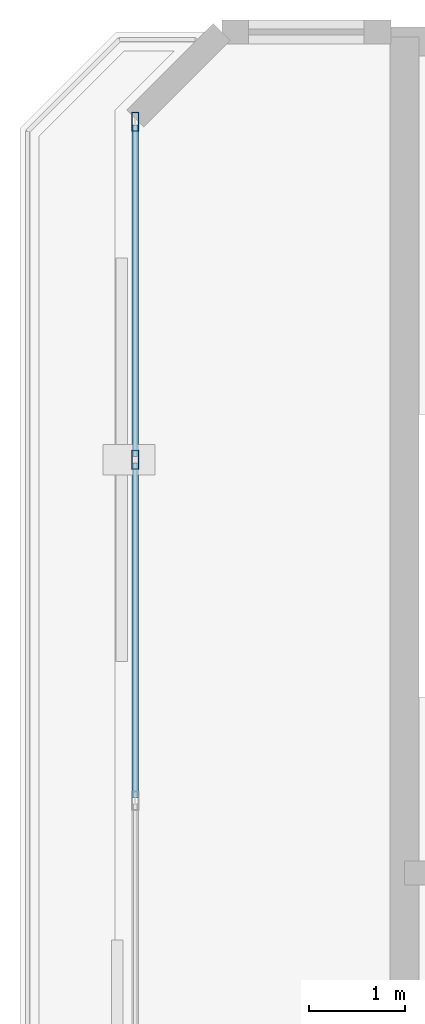
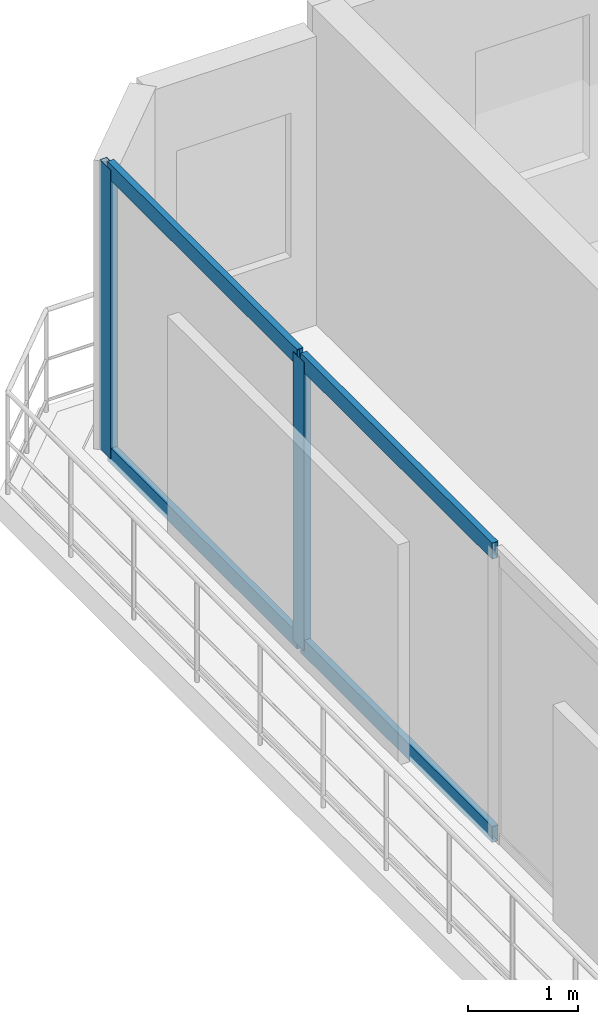
# One storey, part 2 of 7: 6 members, 1 element without a shape of its own.
"""IFC4 building model written with IfcOpenShell, lengths in metres."""

from ifc_helpers import new_model, si_unit, direction, frame, origin, origin_2d, place, context, subcontext, project, spatial, hollow_rectangle, extrude, material, layer, layer_set, material_profile, profile_set, type_object, element, aggregate, save


model = new_model("IFC4")

# Units and contexts
model_context = context("Model", 3, precision=1e-05, world=origin(), true_north=direction((0.0, 1.0)))
body_context = subcontext(model_context, "Body", "Model", "MODEL_VIEW")
ifc_project = project(units=[si_unit("LENGTHUNIT", "METRE"), si_unit("AREAUNIT", "SQUARE_METRE"), si_unit("VOLUMEUNIT", "CUBIC_METRE"), si_unit("PLANEANGLEUNIT", "RADIAN"), si_unit("MASSUNIT", "GRAM", prefix="KILO")], contexts=[model_context])

# Site, building, storey
site_placement = place(None, origin())
site = spatial("IfcSite", under=ifc_project, at=site_placement, CompositionType="ELEMENT")
building_placement = place(site_placement, origin())
building = spatial("IfcBuilding", under=site, at=building_placement, Name="Catumbela Crestline Tower", CompositionType="ELEMENT")
storey_placement = place(building_placement, frame((0.0, 0.0, 308.0)))
storey = spatial("IfcBuildingStorey", under=building, at=storey_placement, Name="L79", CompositionType="ELEMENT", Elevation=308.0)

# Curtain wall, members
ifc_material = material(Name="Aluminium alloy AW-6060-T66", Category="aluminium")
ifc_layer = layer(ifc_material, 0.18, Name="Aluminium alloy AW-6060-T66")
ifc_layer_set = layer_set([ifc_layer], Name="Aluminium alloy AW-6060-T66")
curtain_wall_type = type_object("IfcCurtainWallType", Name="CWS-OBS", PredefinedType="USERDEFINED", material=ifc_layer_set)
curtain_wall_placement = place(storey_placement, origin())
curtain_wall = element("IfcCurtainWall", 1, at=curtain_wall_placement, inside=storey, type_object=curtain_wall_type, Name="L79 Stick Curtain Wall CW-L79-E6S1", ObjectType="STICK", PredefinedType="USERDEFINED")
ifc_material_profile_1 = material_profile(ifc_material, hollow_rectangle(XDim=0.075, YDim=0.2, WallThickness=0.005, at=origin_2d()), Name="ALU 200x75x5")
ifc_profile_set_1 = profile_set([ifc_material_profile_1], Name="Aluminium alloy AW-6060-T66")
member_type_1 = type_object("IfcMemberType", Name="MUL-200X75", PredefinedType="MULLION", material=ifc_profile_set_1)
member_1_placement = place(storey_placement, frame((13.2, 42.0675, 0.0), z_axis=(0.0, 0.0, 1.0), x_axis=(1.0, 0.0, 0.0)))
member_1 = element("IfcMember", 2, at=member_1_placement, type_object=member_type_1, Name="CWS-OBS mullion 1", PredefinedType="MULLION", context=body_context, shape_type="SweptSolid", body=[
    extrude(hollow_rectangle(XDim=0.075, YDim=0.2, WallThickness=0.005, at=origin_2d()), origin(), (0.0, 0.0, 1.0), 3.21),
])
member_2_placement = place(storey_placement, frame((13.2, 38.55, 0.0), z_axis=(0.0, 0.0, 1.0), x_axis=(1.0, 0.0, 0.0)))
member_2 = element("IfcMember", 3, at=member_2_placement, type_object=member_type_1, Name="CWS-OBS mullion 2", PredefinedType="MULLION", context=body_context, shape_type="SweptSolid", body=[
    extrude(hollow_rectangle(XDim=0.075, YDim=0.2, WallThickness=0.005, at=origin_2d()), origin(), (0.0, 0.0, 1.0), 3.21),
])
ifc_material_profile_2 = material_profile(ifc_material, hollow_rectangle(XDim=0.065, YDim=0.18, WallThickness=0.004, at=origin_2d()), Name="ALU 180x65x4")
ifc_profile_set_2 = profile_set([ifc_material_profile_2], Name="Aluminium alloy AW-6060-T66")
member_type_2 = type_object("IfcMemberType", Name="TRN-180X65", PredefinedType="USERDEFINED", material=ifc_profile_set_2)
member_3_placement = place(storey_placement, frame((13.2, 42.035, 0.03), z_axis=(0.0, -1.0, 0.0), x_axis=(1.0, 0.0, 0.0)))
member_3 = element("IfcMember", 4, at=member_3_placement, type_object=member_type_2, Name="CWS-OBS transom 1.1", ObjectType="TRANSOM", PredefinedType="USERDEFINED", context=body_context, shape_type="SweptSolid", body=[
    extrude(hollow_rectangle(XDim=0.065, YDim=0.18, WallThickness=0.004, at=origin_2d()), origin(), (0.0, 0.0, 1.0), 3.4525),
])
member_4_placement = place(storey_placement, frame((13.2, 42.035, 3.18), z_axis=(0.0, -1.0, 0.0), x_axis=(1.0, 0.0, 0.0)))
member_4 = element("IfcMember", 5, at=member_4_placement, type_object=member_type_2, Name="CWS-OBS transom 1.2", ObjectType="TRANSOM", PredefinedType="USERDEFINED", context=body_context, shape_type="SweptSolid", body=[
    extrude(hollow_rectangle(XDim=0.065, YDim=0.18, WallThickness=0.004, at=origin_2d()), origin(), (0.0, 0.0, 1.0), 3.4525),
])
member_5_placement = place(storey_placement, frame((13.2, 38.5175, 0.03), z_axis=(0.0, -1.0, 0.0), x_axis=(1.0, 0.0, 0.0)))
member_5 = element("IfcMember", 6, at=member_5_placement, type_object=member_type_2, Name="CWS-OBS transom 2.1", ObjectType="TRANSOM", PredefinedType="USERDEFINED", context=body_context, shape_type="SweptSolid", body=[
    extrude(hollow_rectangle(XDim=0.065, YDim=0.18, WallThickness=0.004, at=origin_2d()), origin(), (0.0, 0.0, 1.0), 3.485),
])
member_6_placement = place(storey_placement, frame((13.2, 38.5175, 3.18), z_axis=(0.0, -1.0, 0.0), x_axis=(1.0, 0.0, 0.0)))
member_6 = element("IfcMember", 7, at=member_6_placement, type_object=member_type_2, Name="CWS-OBS transom 2.2", ObjectType="TRANSOM", PredefinedType="USERDEFINED", context=body_context, shape_type="SweptSolid", body=[
    extrude(hollow_rectangle(XDim=0.065, YDim=0.18, WallThickness=0.004, at=origin_2d()), origin(), (0.0, 0.0, 1.0), 3.485),
])
aggregate(curtain_wall, [member_1, member_2, member_3, member_4, member_5, member_6])

save(model, "model.ifc")
